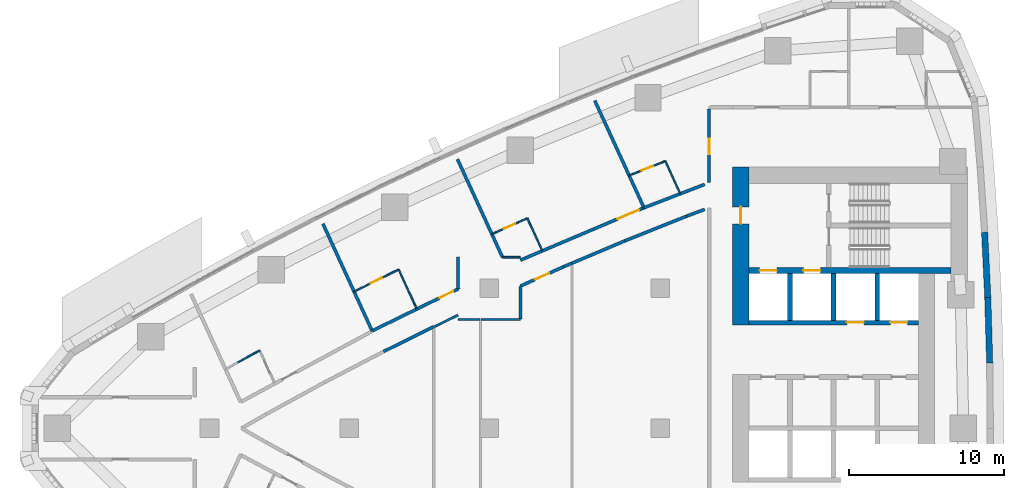
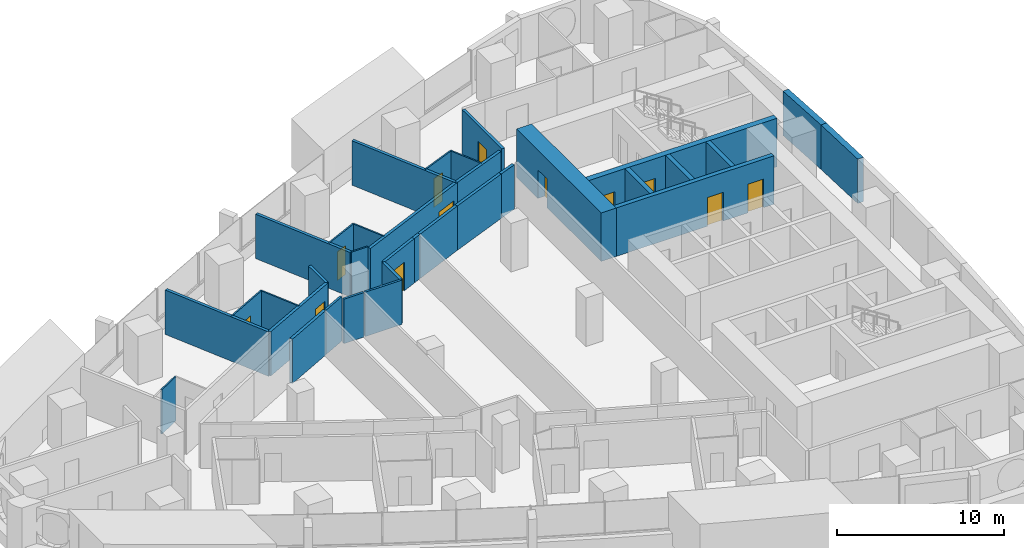
# One storey, part 11 of 17: 34 walls, 12 doors, 12 openings.
"""IFC4 building model written with IfcOpenShell, lengths in metres."""

import ifcopenshell
import ifcopenshell.guid

model = None  # the IFC model being written
_history = None  # IfcOwnerHistory: only IFC2X3 demands one
_inside = {}  # id of a spatial element -> (the spatial element, [elements in it])
_under = {}  # id of a project, library or spatial element -> (it, [spatial elements below it])
_declared = {}  # id of a project -> (the project, [libraries it declares])
_typed = {}  # id of a type object -> (the type object, [elements of that type])
_made_of = {}  # id of a material, layer set ... -> (it, [elements and type objects made of it])


def new_model(schema):
    """Start an empty IFC model of exactly this schema.

    Asked for "IFC4X3", IfcOpenShell would pick the latest addendum, in which some entities
    have other attributes; the version numbers below select the first issue.
    IFC2X3 requires an IfcOwnerHistory on every rooted entity: one is made here for all.
    """
    global model, _history
    if schema == "IFC4X3":
        model = ifcopenshell.file(schema_version=(4, 3, 0, 0))
    else:
        model = ifcopenshell.file(schema=schema)
    _inside.clear()
    _under.clear()
    _declared.clear()
    _typed.clear()
    _made_of.clear()
    _history = None
    if model.schema == "IFC2X3":
        org = make("IfcOrganization", Name="unknown")
        user = make(
            "IfcPersonAndOrganization",
            ThePerson=make("IfcPerson", FamilyName="unknown"),
            TheOrganization=org,
        )
        app = make(
            "IfcApplication",
            ApplicationDeveloper=org,
            Version="unknown",
            ApplicationFullName="unknown",
            ApplicationIdentifier="unknown",
        )
        _history = make(
            "IfcOwnerHistory",
            OwningUser=user,
            OwningApplication=app,
            ChangeAction="ADDED",
            CreationDate=0,
        )
    return model


def make(cls, **values):
    """One entity of the class cls with the attributes given. An attribute that is None is left unset."""
    return model.create_entity(
        cls, **{name: value for name, value in values.items() if value is not None}
    )


def rooted(cls, **values):
    """An entity with a GlobalId (a new one), such as an element, a storey or a relation."""
    return make(cls, GlobalId=ifcopenshell.guid.new(), OwnerHistory=_history, **values)


def si_unit(unit_type, name, prefix=None):
    """IfcSIUnit, for example si_unit("LENGTHUNIT", "METRE", prefix="MILLI")."""
    return make("IfcSIUnit", UnitType=unit_type, Prefix=prefix, Name=name)


def assignment(units):
    """IfcUnitAssignment: the units of a project."""
    return None if units is None else make("IfcUnitAssignment", Units=units)


def point(xyz):
    """IfcCartesianPoint."""
    return None if xyz is None else make("IfcCartesianPoint", Coordinates=xyz)


def direction(xyz):
    """IfcDirection."""
    return None if xyz is None else make("IfcDirection", DirectionRatios=xyz)


def frame(location, z_axis=None, x_axis=None):
    """IfcAxis2Placement3D, a coordinate frame: its origin and axes. An axis left out is left unset."""
    return make(
        "IfcAxis2Placement3D",
        Location=point(location),
        Axis=direction(z_axis),
        RefDirection=direction(x_axis),
    )


def frame_2d(location, x_axis=None):
    """IfcAxis2Placement2D, a coordinate frame in the plane: its origin and x axis."""
    return make(
        "IfcAxis2Placement2D", Location=point(location), RefDirection=direction(x_axis)
    )


def origin():
    """The frame at (0, 0, 0) with its axes left unset."""
    return frame((0.0, 0.0, 0.0))


def place(relative_to, where):
    """IfcLocalPlacement: puts the frame where relative to a parent placement (None: the world)."""
    return make(
        "IfcLocalPlacement", PlacementRelTo=relative_to, RelativePlacement=where
    )


def context(
    kind, dimensions, precision=None, world=None, true_north=None, identifier=None
):
    """IfcGeometricRepresentationContext, for example the 3D "Model" context."""
    return make(
        "IfcGeometricRepresentationContext",
        ContextIdentifier=identifier,
        ContextType=kind,
        CoordinateSpaceDimension=dimensions,
        Precision=precision,
        WorldCoordinateSystem=world,
        TrueNorth=true_north,
    )


def subcontext(parent, identifier, kind, view, scale=None):
    """IfcGeometricRepresentationSubContext, for example "Body" below "Model"."""
    return make(
        "IfcGeometricRepresentationSubContext",
        ContextIdentifier=identifier,
        ContextType=kind,
        ParentContext=parent,
        TargetScale=scale,
        TargetView=view,
    )


def project(units=None, contexts=None):
    """IfcProject with its units and contexts."""
    return rooted(
        "IfcProject",
        Name="project",
        RepresentationContexts=contexts,
        UnitsInContext=assignment(units),
    )


def spatial(cls, under=None, at=None, **own):
    """A site, building, storey or space (cls), placed at a placement, below another one or the project."""
    s = rooted(cls, ObjectPlacement=at, **own)
    if under is not None:
        _under.setdefault(under.id(), (under, []))[1].append(s)
    return s


def polyline(points):
    """IfcPolyline through the points."""
    return make("IfcPolyline", Points=[point(p) for p in points])


def profile(cls, at=None, kind="AREA", **sizes):
    """A parametric profile (cls). Its sizes go by their IFC names, for example OverallWidth=200.0."""
    return make(cls, ProfileType=kind, Position=at, **sizes)


def rectangle(**sizes):
    """IfcRectangleProfileDef."""
    return profile("IfcRectangleProfileDef", **sizes)


def outline(outer, holes=None, kind="AREA"):
    """IfcArbitraryClosedProfileDef: a profile drawn as a closed curve; with holes, ...WithVoids."""
    if holes is None:
        return make("IfcArbitraryClosedProfileDef", ProfileType=kind, OuterCurve=outer)
    return make(
        "IfcArbitraryProfileDefWithVoids",
        ProfileType=kind,
        OuterCurve=outer,
        InnerCurves=holes,
    )


def extrude(swept, where, along, depth):
    """IfcExtrudedAreaSolid: the profile swept, set in the frame where, extruded along a direction by depth."""
    return make(
        "IfcExtrudedAreaSolid",
        SweptArea=swept,
        Position=where,
        ExtrudedDirection=direction(along),
        Depth=depth,
    )


def shape(context_of_items, identifier, shape_type, items):
    """IfcShapeRepresentation: the items that make up one representation, for example the "Body"."""
    return make(
        "IfcShapeRepresentation",
        ContextOfItems=context_of_items,
        RepresentationIdentifier=identifier,
        RepresentationType=shape_type,
        Items=items,
    )


def material(Name=None, Category=None):
    """IfcMaterial."""
    return make("IfcMaterial", Name=Name, Category=Category)


def layer(
    of_material, thickness, ventilated=None, Name=None, Category=None, Priority=None
):
    """IfcMaterialLayer: one layer of a wall or slab, of a material (None: an air gap)."""
    return make(
        "IfcMaterialLayer",
        Material=of_material,
        LayerThickness=thickness,
        IsVentilated=ventilated,
        Name=Name,
        Category=Category,
        Priority=Priority,
    )


def layer_set(layers, Name=None):
    """IfcMaterialLayerSet."""
    return make("IfcMaterialLayerSet", MaterialLayers=layers, LayerSetName=Name)


def made_of(thing, what):
    """Note that an element or type object is made of a material, layer set ...; save() writes the relation."""
    if what is not None:
        _made_of.setdefault(what.id(), (what, []))[1].append(thing)
    return thing


def type_object(cls, material=None, **own):
    """A type object (cls), such as IfcWallType, which elements share."""
    return made_of(rooted(cls, **own), material)


def element(
    cls,
    number,
    at=None,
    inside=None,
    cuts=None,
    type_object=None,
    material=None,
    context=None,
    identifier="Body",
    shape_type=None,
    held_by="IfcProductDefinitionShape",
    body=None,
    shapes=None,
    **own,
):
    """One element of the class cls, such as IfcWall. Its Tag is "e" and its number.

    at: its placement. inside: the storey or other place that contains it. cuts: it is an
    opening in that element (IfcRelVoidsElement). A single representation is given by context,
    identifier, shape_type and body (its items); several are given by shapes. held_by: the class
    of the entity that holds the representations. save() writes the other relations.
    """
    e = rooted(cls, Tag="e%d" % number, ObjectPlacement=at, **own)
    if body is not None:
        shapes = [shape(context, identifier, shape_type, body)]
    if shapes is not None:
        e.Representation = make(held_by, Representations=shapes)
    if inside is not None:
        _inside.setdefault(inside.id(), (inside, []))[1].append(e)
    if cuts is not None:
        rooted(
            "IfcRelVoidsElement", RelatingBuildingElement=cuts, RelatedOpeningElement=e
        )
    if type_object is not None:
        _typed.setdefault(type_object.id(), (type_object, []))[1].append(e)
    return made_of(e, material)


def fill(opening, filler):
    """IfcRelFillsElement: the door or window that sits in an opening."""
    return rooted(
        "IfcRelFillsElement",
        RelatingOpeningElement=opening,
        RelatedBuildingElement=filler,
    )


def aggregate(whole, parts):
    """IfcRelAggregates: a whole, such as a stair, and the parts it consists of."""
    return rooted("IfcRelAggregates", RelatingObject=whole, RelatedObjects=parts)


def save(model, path):
    """Write the relations noted so far, then the file.

    IfcRelAggregates (storeys below a building ...), IfcRelContainedInSpatialStructure (elements
    in a storey), IfcRelDefinesByType, IfcRelAssociatesMaterial and IfcRelDeclares: one each for
    every whole, place, type object, material and project.
    """
    for whole, parts in _under.values():
        aggregate(whole, parts)
    for where, things in _inside.values():
        rooted(
            "IfcRelContainedInSpatialStructure",
            RelatedElements=things,
            RelatingStructure=where,
        )
    for kind, things in _typed.values():
        rooted("IfcRelDefinesByType", RelatedObjects=things, RelatingType=kind)
    for what, things in _made_of.values():
        rooted("IfcRelAssociatesMaterial", RelatedObjects=things, RelatingMaterial=what)
    for by, libraries in _declared.values():
        rooted("IfcRelDeclares", RelatingContext=by, RelatedDefinitions=libraries)
    model.write(path)


model = new_model("IFC4")

# Units and contexts
model_context = context("Model", 3, precision=1e-05, world=origin(), true_north=direction((0.0, 1.0)))
body_context = subcontext(model_context, "Body", "Model", "MODEL_VIEW")
ifc_project = project(units=[si_unit("LENGTHUNIT", "METRE"), si_unit("AREAUNIT", "SQUARE_METRE"), si_unit("VOLUMEUNIT", "CUBIC_METRE"), si_unit("PLANEANGLEUNIT", "RADIAN"), si_unit("MASSUNIT", "GRAM", prefix="KILO")], contexts=[model_context])

# Site, building, storey
site_placement = place(None, origin())
site = spatial("IfcSite", under=ifc_project, at=site_placement, CompositionType="ELEMENT")
building_placement = place(site_placement, origin())
building = spatial("IfcBuilding", under=site, at=building_placement, Name="Ostrand Prow Hotel Tower", CompositionType="ELEMENT")
storey_placement = place(building_placement, frame((0.0, 0.0, 92.0)))
storey = spatial("IfcBuildingStorey", under=building, at=storey_placement, Name="L21", CompositionType="ELEMENT", Elevation=92.0)

# Wall, opening, door
ifc_material_1 = material(Name="Concrete C80/95", Category="concrete")
ifc_layer_1 = layer(ifc_material_1, 1.050048828125)
ifc_layer_set_1 = layer_set([ifc_layer_1], Name="Concrete C80/95")
wall_type_1 = type_object("IfcWallType", Name="Core wall 1050 C80/95", PredefinedType="SHEAR", material=ifc_layer_set_1)
wall_1_placement = place(storey_placement, frame((50.175048828125, 6.64990234375, 0.0), z_axis=(0.0, 0.0, 1.0), x_axis=(0.0, 1.0, 0.0)))
wall_1 = element("IfcWall", 1, at=wall_1_placement, inside=storey, type_object=wall_type_1, Name="Core wall CW-W-N", PredefinedType="SHEAR", context=body_context, shape_type="SweptSolid", body=[
    extrude(rectangle(XDim=10.150146484375, YDim=1.050048828125, at=frame_2d((5.0751953125, 0.0))), origin(), (0.0, 0.0, 1.0), 3.550048828125),
])
opening_1_placement = place(wall_1_placement, frame((6.5, 0.0, 0.0)))
opening_1 = element("IfcOpeningElement", 2, at=opening_1_placement, cuts=wall_1, Name="Opening FD1", PredefinedType="OPENING", context=body_context, shape_type="SweptSolid", body=[
    extrude(rectangle(XDim=1.10009765625, YDim=2.10009765625, at=frame_2d((0.550048828125, 1.050048828125))), frame((0.0, 0.534912109375, 0.0), z_axis=(0.0, -1.0, 0.0), x_axis=(1.0, 0.0, 0.0)), (0.0, 0.0, 1.0), 1.070068359375),
])
ifc_material_2 = material(Name="Steel fire door", Category="steel")
door_type_1 = type_object("IfcDoorType", Name="Fire door 1100 EI120", OperationType="SINGLE_SWING_RIGHT", PredefinedType="DOOR", material=ifc_material_2)
door_1_placement = place(opening_1_placement, origin())
door_1 = element("IfcDoor", 3, at=door_1_placement, inside=storey, type_object=door_type_1, Name="FIRE DOOR", OperationType="SINGLE_SWING_RIGHT", OverallHeight=2.10009765625, OverallWidth=1.10009765625, PredefinedType="DOOR", context=body_context, shape_type="SweptSolid", body=[
    extrude(rectangle(XDim=1.10009765625, YDim=2.10009765625, at=frame_2d((0.550048828125, 1.050048828125))), frame((0.0, 0.02490234375, 0.0), z_axis=(0.0, -1.0, 0.0), x_axis=(1.0, 0.0, 0.0)), (0.0, 0.0, 1.0), 0.050048828125),
])
fill(opening_1, door_1)

# Wall, openings, doors
ifc_material_3 = material(Name="Concrete C80/95", Category="concrete")
ifc_layer_2 = layer(ifc_material_3, 0.300048828125)
ifc_layer_set_2 = layer_set([ifc_layer_2], Name="Concrete C80/95")
wall_type_2 = type_object("IfcWallType", Name="Core wall 300 C80/95", PredefinedType="SHEAR", material=ifc_layer_set_2)
wall_2_placement = place(storey_placement, frame((50.699951171875, 6.800048828125, 0.0), z_axis=(0.0, 0.0, 1.0), x_axis=(1.0, 0.0, 0.0)))
wall_2 = element("IfcWall", 4, at=wall_2_placement, inside=storey, type_object=wall_type_2, Name="Core wall PW-L2-N", PredefinedType="SHEAR", context=body_context, shape_type="SweptSolid", body=[
    extrude(rectangle(XDim=10.900146484375, YDim=0.300048828125, at=frame_2d((5.4501953125, 0.0))), origin(), (0.0, 0.0, 1.0), 3.550048828125),
])
opening_2_placement = place(wall_2_placement, frame((6.300048828125, 0.0, 0.0)))
opening_2 = element("IfcOpeningElement", 5, at=opening_2_placement, cuts=wall_2, Name="Opening LD", PredefinedType="OPENING", context=body_context, shape_type="SweptSolid", body=[
    extrude(rectangle(XDim=1.10009765625, YDim=2.10009765625, at=frame_2d((0.550048828125, 1.050048828125))), frame((0.0, 0.159912109375, 0.0), z_axis=(0.0, -1.0, 0.0), x_axis=(1.0, 0.0, 0.0)), (0.0, 0.0, 1.0), 0.320068359375),
])
opening_3_placement = place(wall_2_placement, frame((9.10009765625, 0.0, 0.0)))
opening_3 = element("IfcOpeningElement", 6, at=opening_3_placement, cuts=wall_2, Name="Opening LD", PredefinedType="OPENING", context=body_context, shape_type="SweptSolid", body=[
    extrude(rectangle(XDim=1.10009765625, YDim=2.10009765625, at=frame_2d((0.550048828125, 1.050048828125))), frame((0.0, 0.159912109375, 0.0), z_axis=(0.0, -1.0, 0.0), x_axis=(1.0, 0.0, 0.0)), (0.0, 0.0, 1.0), 0.320068359375),
])
ifc_material_4 = material(Name="Stainless steel door", Category="steel")
door_type_2 = type_object("IfcDoorType", Name="Lift landing door 1100", OperationType="DOUBLE_DOOR_SLIDING", PredefinedType="DOOR", material=ifc_material_4)
door_2_placement = place(opening_2_placement, origin())
door_2 = element("IfcDoor", 7, at=door_2_placement, inside=storey, type_object=door_type_2, Name="LIFT LANDING DOOR", OperationType="DOUBLE_DOOR_SLIDING", OverallHeight=2.10009765625, OverallWidth=1.10009765625, PredefinedType="DOOR", context=body_context, shape_type="SweptSolid", body=[
    extrude(rectangle(XDim=1.10009765625, YDim=2.10009765625, at=frame_2d((0.550048828125, 1.050048828125))), frame((0.0, 0.02490234375, 0.0), z_axis=(0.0, -1.0, 0.0), x_axis=(1.0, 0.0, 0.0)), (0.0, 0.0, 1.0), 0.050048828125),
])
fill(opening_2, door_2)
door_3_placement = place(opening_3_placement, origin())
door_3 = element("IfcDoor", 8, at=door_3_placement, inside=storey, type_object=door_type_2, Name="LIFT LANDING DOOR", OperationType="DOUBLE_DOOR_SLIDING", OverallHeight=2.10009765625, OverallWidth=1.10009765625, PredefinedType="DOOR", context=body_context, shape_type="SweptSolid", body=[
    extrude(rectangle(XDim=1.10009765625, YDim=2.10009765625, at=frame_2d((0.550048828125, 1.050048828125))), frame((0.0, 0.02490234375, 0.0), z_axis=(0.0, -1.0, 0.0), x_axis=(1.0, 0.0, 0.0)), (0.0, 0.0, 1.0), 0.050048828125),
])
fill(opening_3, door_3)

# Walls
for number, where, z_axis, x_axis, name in (
    (9, (53.35009765625, 6.949951171875, 0.0), (0.0, 0.0, 1.0), (0.0, 1.0, 0.0), "Core wall PW-R1-NA"),
    (10, (56.14990234375, 6.949951171875, 0.0), (0.0, 0.0, 1.0), (0.0, 1.0, 0.0), "Core wall PW-R2-NA"),
    (11, (58.949951171875, 6.949951171875, 0.0), (0.0, 0.0, 1.0), (0.0, 1.0, 0.0), "Core wall PW-R3-NA"),
):
    element("IfcWall", number, at=place(storey_placement, frame(where, z_axis=z_axis, x_axis=x_axis)), inside=storey, type_object=wall_type_2, Name=name, PredefinedType="SHEAR", context=body_context, shape_type="SweptSolid", body=[
        extrude(rectangle(XDim=3.0, YDim=0.300048828125, at=frame_2d((1.5, 0.0))), origin(), (0.0, 0.0, 1.0), 3.550048828125),
    ])

# Wall, openings, doors
ifc_material_5 = material(Name="Concrete C80/95", Category="concrete")
ifc_layer_3 = layer(ifc_material_5, 0.39990234375)
ifc_layer_set_3 = layer_set([ifc_layer_3], Name="Concrete C80/95")
wall_type_3 = type_object("IfcWallType", Name="Core wall 400 C80/95", PredefinedType="SHEAR", material=ifc_layer_set_3)
wall_3_placement = place(storey_placement, frame((50.699951171875, 10.14990234375, 0.0), z_axis=(0.0, 0.0, 1.0), x_axis=(1.0, 0.0, 0.0)))
wall_3 = element("IfcWall", 12, at=wall_3_placement, inside=storey, type_object=wall_type_3, Name="Core wall PW-BN", PredefinedType="SHEAR", context=body_context, shape_type="SweptSolid", body=[
    extrude(rectangle(XDim=13.02001953125, YDim=0.39990234375, at=frame_2d((6.510009765625, 0.0))), origin(), (0.0, 0.0, 1.0), 3.550048828125),
])
opening_4_placement = place(wall_3_placement, frame((0.699951171875, 0.0, 0.0)))
opening_4 = element("IfcOpeningElement", 13, at=opening_4_placement, cuts=wall_3, Name="Opening LD", PredefinedType="OPENING", context=body_context, shape_type="SweptSolid", body=[
    extrude(rectangle(XDim=1.10009765625, YDim=2.10009765625, at=frame_2d((0.550048828125, 1.050048828125))), frame((0.0, 0.2099609375, 0.0), z_axis=(0.0, -1.0, 0.0), x_axis=(1.0, 0.0, 0.0)), (0.0, 0.0, 1.0), 0.419921875),
])
opening_5_placement = place(wall_3_placement, frame((3.5, 0.0, 0.0)))
opening_5 = element("IfcOpeningElement", 14, at=opening_5_placement, cuts=wall_3, Name="Opening LD", PredefinedType="OPENING", context=body_context, shape_type="SweptSolid", body=[
    extrude(rectangle(XDim=1.10009765625, YDim=2.10009765625, at=frame_2d((0.550048828125, 1.050048828125))), frame((0.0, 0.2099609375, 0.0), z_axis=(0.0, -1.0, 0.0), x_axis=(1.0, 0.0, 0.0)), (0.0, 0.0, 1.0), 0.419921875),
])
door_4_placement = place(opening_4_placement, origin())
door_4 = element("IfcDoor", 15, at=door_4_placement, inside=storey, type_object=door_type_2, Name="LIFT LANDING DOOR", OperationType="DOUBLE_DOOR_SLIDING", OverallHeight=2.10009765625, OverallWidth=1.10009765625, PredefinedType="DOOR", context=body_context, shape_type="SweptSolid", body=[
    extrude(rectangle(XDim=1.10009765625, YDim=2.10009765625, at=frame_2d((0.550048828125, 1.050048828125))), frame((0.0, 0.02490234375, 0.0), z_axis=(0.0, -1.0, 0.0), x_axis=(1.0, 0.0, 0.0)), (0.0, 0.0, 1.0), 0.050048828125),
])
fill(opening_4, door_4)
door_5_placement = place(opening_5_placement, origin())
door_5 = element("IfcDoor", 16, at=door_5_placement, inside=storey, type_object=door_type_2, Name="LIFT LANDING DOOR", OperationType="DOUBLE_DOOR_SLIDING", OverallHeight=2.10009765625, OverallWidth=1.10009765625, PredefinedType="DOOR", context=body_context, shape_type="SweptSolid", body=[
    extrude(rectangle(XDim=1.10009765625, YDim=2.10009765625, at=frame_2d((0.550048828125, 1.050048828125))), frame((0.0, 0.02490234375, 0.0), z_axis=(0.0, -1.0, 0.0), x_axis=(1.0, 0.0, 0.0)), (0.0, 0.0, 1.0), 0.050048828125),
])
fill(opening_5, door_5)

# Wall
ifc_material_6 = material(Name="Plasterboard partition")
ifc_layer_4 = layer(ifc_material_6, 0.10009765625)
ifc_layer_set_4 = layer_set([ifc_layer_4], Name="Plasterboard partition")
wall_type_4 = type_object("IfcWallType", Name="Partition 100 bathroom wall", PredefinedType="PARTITIONING", material=ifc_layer_set_4)
wall_4_placement = place(storey_placement, frame((17.80126953125, 4.228515625, 0.0), z_axis=(0.0, 0.0, 1.0), x_axis=(0.877424481957, 0.479714788663, 0.0)))
element("IfcWall", 17, at=wall_4_placement, inside=storey, type_object=wall_type_4, Name="BATHROOM WALL", PredefinedType="PARTITIONING", context=body_context, shape_type="SweptSolid", body=[
    extrude(rectangle(XDim=1.62548828125, YDim=0.10009765625, at=frame_2d((0.812744140625, 0.0))), origin(), (0.0, 0.0, 1.0), 3.25),
])

# Wall, opening, door
wall_5_placement = place(storey_placement, frame((25.301025390625, 8.795654296875, 0.0), z_axis=(0.0, 0.0, 1.0), x_axis=(0.895992652807, 0.444068875419, 0.0)))
wall_5 = element("IfcWall", 18, at=wall_5_placement, inside=storey, type_object=wall_type_4, Name="BATHROOM WALL", PredefinedType="PARTITIONING", context=body_context, shape_type="SweptSolid", body=[
    extrude(rectangle(XDim=3.201416015625, YDim=0.10009765625, at=frame_2d((1.6005859375, 0.0))), origin(), (0.0, 0.0, 1.0), 3.25),
])
opening_6_placement = place(wall_5_placement, frame((1.199951171875, 0.0, 0.0)))
opening_6 = element("IfcOpeningElement", 19, at=opening_6_placement, cuts=wall_5, Name="Opening D2", PredefinedType="OPENING", context=body_context, shape_type="SweptSolid", body=[
    extrude(rectangle(XDim=0.800048828125, YDim=2.10009765625, at=frame_2d((0.39990234375, 1.050048828125))), frame((0.0, 0.06005859375, 0.0), z_axis=(0.0, -1.0, 0.0), x_axis=(1.0, 0.0, 0.0)), (0.0, 0.0, 1.0), 0.1201171875),
])
ifc_material_7 = material(Name="Timber door leaf", Category="wood")
door_type_3 = type_object("IfcDoorType", Name="Bathroom door 800", OperationType="SINGLE_SWING_LEFT", PredefinedType="DOOR", material=ifc_material_7)
door_6_placement = place(opening_6_placement, origin())
door_6 = element("IfcDoor", 20, at=door_6_placement, inside=storey, type_object=door_type_3, Name="DOOR", OperationType="SINGLE_SWING_LEFT", OverallHeight=2.10009765625, OverallWidth=0.800048828125, PredefinedType="DOOR", context=body_context, shape_type="SweptSolid", body=[
    extrude(rectangle(XDim=0.800048828125, YDim=2.10009765625, at=frame_2d((0.39990234375, 1.050048828125))), frame((0.0, 0.02490234375, 0.0), z_axis=(0.0, -1.0, 0.0), x_axis=(1.0, 0.0, 0.0)), (0.0, 0.0, 1.0), 0.050048828125),
])
fill(opening_6, door_6)

# Wall
wall_6_placement = place(storey_placement, frame((28.16943359375, 10.21728515625, 0.0), z_axis=(0.0, 0.0, 1.0), x_axis=(0.417441335061, -0.908703874638, 0.0)))
element("IfcWall", 21, at=wall_6_placement, inside=storey, type_object=wall_type_4, Name="BATHROOM WALL", PredefinedType="PARTITIONING", context=body_context, shape_type="SweptSolid", body=[
    extrude(rectangle(XDim=2.778076171875, YDim=0.10009765625, at=frame_2d((1.38916015625, 0.0))), origin(), (0.0, 0.0, 1.0), 3.25),
])

# Wall, opening, door
wall_7_placement = place(storey_placement, frame((34.167236328125, 12.492919921875, 0.0), z_axis=(0.0, 0.0, 1.0), x_axis=(0.913016449487, 0.407922741417, 0.0)))
wall_7 = element("IfcWall", 22, at=wall_7_placement, inside=storey, type_object=wall_type_4, Name="BATHROOM WALL", PredefinedType="PARTITIONING", context=body_context, shape_type="SweptSolid", body=[
    extrude(rectangle(XDim=2.5, YDim=0.10009765625, at=frame_2d((1.25, 0.0))), origin(), (0.0, 0.0, 1.0), 3.25),
])
opening_7_placement = place(wall_7_placement, frame((0.85009765625, 0.0, 0.0)))
opening_7 = element("IfcOpeningElement", 23, at=opening_7_placement, cuts=wall_7, Name="Opening D2", PredefinedType="OPENING", context=body_context, shape_type="SweptSolid", body=[
    extrude(rectangle(XDim=0.800048828125, YDim=2.10009765625, at=frame_2d((0.39990234375, 1.050048828125))), frame((0.0, 0.06005859375, 0.0), z_axis=(0.0, -1.0, 0.0), x_axis=(1.0, 0.0, 0.0)), (0.0, 0.0, 1.0), 0.1201171875),
])
door_7_placement = place(opening_7_placement, origin())
door_7 = element("IfcDoor", 24, at=door_7_placement, inside=storey, type_object=door_type_3, Name="DOOR", OperationType="SINGLE_SWING_LEFT", OverallHeight=2.10009765625, OverallWidth=0.800048828125, PredefinedType="DOOR", context=body_context, shape_type="SweptSolid", body=[
    extrude(rectangle(XDim=0.800048828125, YDim=2.10009765625, at=frame_2d((0.39990234375, 1.050048828125))), frame((0.0, 0.02490234375, 0.0), z_axis=(0.0, -1.0, 0.0), x_axis=(1.0, 0.0, 0.0)), (0.0, 0.0, 1.0), 0.050048828125),
])
fill(opening_7, door_7)

# Wall
wall_8_placement = place(storey_placement, frame((36.44970703125, 13.5126953125, 0.0), z_axis=(0.0, 0.0, 1.0), x_axis=(0.417466676952, -0.908692232626, 0.0)))
element("IfcWall", 25, at=wall_8_placement, inside=storey, type_object=wall_type_4, Name="BATHROOM WALL", PredefinedType="PARTITIONING", context=body_context, shape_type="SweptSolid", body=[
    extrude(rectangle(XDim=2.27734375, YDim=0.10009765625, at=frame_2d((1.138671875, 0.0))), origin(), (0.0, 0.0, 1.0), 3.25),
])

# Wall, opening, door
wall_9_placement = place(storey_placement, frame((43.0, 16.26220703125, 0.0), z_axis=(0.0, 0.0, 1.0), x_axis=(0.928618072339, 0.371037027431, 0.0)))
wall_9 = element("IfcWall", 26, at=wall_9_placement, inside=storey, type_object=wall_type_4, Name="BATHROOM WALL", PredefinedType="PARTITIONING", context=body_context, shape_type="SweptSolid", body=[
    extrude(rectangle(XDim=2.499755859375, YDim=0.10009765625, at=frame_2d((1.25, 0.0))), origin(), (0.0, 0.0, 1.0), 3.25),
])
opening_8_placement = place(wall_9_placement, frame((0.85009765625, 0.0, 0.0)))
opening_8 = element("IfcOpeningElement", 27, at=opening_8_placement, cuts=wall_9, Name="Opening D2", PredefinedType="OPENING", context=body_context, shape_type="SweptSolid", body=[
    extrude(rectangle(XDim=0.800048828125, YDim=2.10009765625, at=frame_2d((0.39990234375, 1.050048828125))), frame((0.0, 0.06005859375, 0.0), z_axis=(0.0, -1.0, 0.0), x_axis=(1.0, 0.0, 0.0)), (0.0, 0.0, 1.0), 0.1201171875),
])
door_8_placement = place(opening_8_placement, origin())
door_8 = element("IfcDoor", 28, at=door_8_placement, inside=storey, type_object=door_type_3, Name="DOOR", OperationType="SINGLE_SWING_LEFT", OverallHeight=2.10009765625, OverallWidth=0.800048828125, PredefinedType="DOOR", context=body_context, shape_type="SweptSolid", body=[
    extrude(rectangle(XDim=0.800048828125, YDim=2.10009765625, at=frame_2d((0.39990234375, 1.050048828125))), frame((0.0, 0.02490234375, 0.0), z_axis=(0.0, -1.0, 0.0), x_axis=(1.0, 0.0, 0.0)), (0.0, 0.0, 1.0), 0.050048828125),
])
fill(opening_8, door_8)

# Walls
wall_10_placement = place(storey_placement, frame((45.32470703125, 17.19091796875, 0.0), z_axis=(0.0, 0.0, 1.0), x_axis=(0.417409478396, -0.90871850831, 0.0)))
element("IfcWall", 29, at=wall_10_placement, inside=storey, type_object=wall_type_4, Name="BATHROOM WALL", PredefinedType="PARTITIONING", context=body_context, shape_type="SweptSolid", body=[
    extrude(rectangle(XDim=2.282958984375, YDim=0.10009765625, at=frame_2d((1.1416015625, 0.0))), origin(), (0.0, 0.0, 1.0), 3.25),
])
wall_11_placement = place(storey_placement, frame((36.0009765625, 11.0048828125, 0.0), z_axis=(0.0, 0.0, 1.0), x_axis=(-1.0, 0.0, 0.0)))
element("IfcWall", 30, at=wall_11_placement, inside=storey, type_object=wall_type_4, Name="BATHROOM WALL", PredefinedType="PARTITIONING", context=body_context, shape_type="SweptSolid", body=[
    extrude(rectangle(XDim=1.150390625, YDim=0.10009765625, at=frame_2d((0.5751953125, 0.0))), origin(), (0.0, 0.0, 1.0), 3.25),
])
ifc_material_8 = material(Name="Plasterboard partition")
ifc_layer_5 = layer(ifc_material_8, 0.14990234375)
ifc_layer_set_5 = layer_set([ifc_layer_5], Name="Plasterboard partition")
wall_type_5 = type_object("IfcWallType", Name="Partition 150 room partition", PredefinedType="PARTITIONING", material=ifc_layer_set_5)
wall_12_placement = place(storey_placement, frame((30.4697265625, 6.536376953125, 0.0), z_axis=(0.0, 0.0, 1.0), x_axis=(0.897735805555, 0.440534247732, 0.0)))
element("IfcWall", 31, at=wall_12_placement, inside=storey, type_object=wall_type_5, Name="ROOM PARTITION", PredefinedType="PARTITIONING", context=body_context, shape_type="SweptSolid", body=[
    extrude(rectangle(XDim=1.69921875, YDim=0.14990234375, at=frame_2d((0.849609375, 0.0))), origin(), (0.0, 0.0, 1.0), 3.25),
])
wall_13_placement = place(storey_placement, frame((31.9990234375, 6.9951171875, 0.0), z_axis=(0.0, 0.0, 1.0), x_axis=(1.0, 0.0, 0.0)))
element("IfcWall", 32, at=wall_13_placement, inside=storey, type_object=wall_type_5, Name="ROOM PARTITION", PredefinedType="PARTITIONING", context=body_context, shape_type="SweptSolid", body=[
    extrude(rectangle(XDim=1.390625, YDim=0.14990234375, at=frame_2d((0.6953125, 0.0))), origin(), (0.0, 0.0, 1.0), 3.25),
])
wall_14_placement = place(storey_placement, frame((33.4697265625, 6.9951171875, 0.0), z_axis=(0.0, 0.0, 1.0), x_axis=(0.999999958194, 0.000289156614, 0.0)))
element("IfcWall", 33, at=wall_14_placement, inside=storey, type_object=wall_type_5, Name="ROOM PARTITION", PredefinedType="PARTITIONING", context=body_context, shape_type="SweptSolid", body=[
    extrude(rectangle(XDim=2.532958984375, YDim=0.14990234375, at=frame_2d((1.2666015625, 0.0))), origin(), (0.0, 0.0, 1.0), 3.25),
])

# Wall, opening, door
ifc_material_9 = material(Name="Plasterboard partition")
ifc_layer_6 = layer(ifc_material_9, 0.199951171875)
ifc_layer_set_6 = layer_set([ifc_layer_6], Name="Plasterboard partition")
wall_type_6 = type_object("IfcWallType", Name="Partition 200 corridor wall", PredefinedType="PARTITIONING", material=ifc_layer_set_6)
wall_15_placement = place(storey_placement, frame((32.0, 8.972900390625, 0.0), z_axis=(0.0, 0.0, 1.0), x_axis=(-0.898493398172, -0.438987031062, 0.0)))
wall_15 = element("IfcWall", 34, at=wall_15_placement, inside=storey, type_object=wall_type_6, Name="CORRIDOR WALL", PredefinedType="PARTITIONING", context=body_context, shape_type="SweptSolid", body=[
    extrude(rectangle(XDim=6.1630859375, YDim=0.199951171875, at=frame_2d((3.08154296875, 0.0))), origin(), (0.0, 0.0, 1.0), 3.25),
])
opening_9_placement = place(wall_15_placement, frame((0.35009765625, 0.0, 0.0)))
opening_9 = element("IfcOpeningElement", 35, at=opening_9_placement, cuts=wall_15, Name="Opening D1R", PredefinedType="OPENING", context=body_context, shape_type="SweptSolid", body=[
    extrude(rectangle(XDim=1.0, YDim=2.10009765625, at=frame_2d((0.5, 1.050048828125))), frame((0.0, 0.10986328125, 0.0), z_axis=(0.0, -1.0, 0.0), x_axis=(1.0, 0.0, 0.0)), (0.0, 0.0, 1.0), 0.219970703125),
])
ifc_material_10 = material(Name="Timber door leaf", Category="wood")
door_type_4 = type_object("IfcDoorType", Name="Guest room door 1000 right", OperationType="SINGLE_SWING_RIGHT", PredefinedType="DOOR", material=ifc_material_10)
door_9_placement = place(opening_9_placement, origin())
door_9 = element("IfcDoor", 36, at=door_9_placement, inside=storey, type_object=door_type_4, Name="DOOR", OperationType="SINGLE_SWING_RIGHT", OverallHeight=2.10009765625, OverallWidth=1.0, PredefinedType="DOOR", context=body_context, shape_type="SweptSolid", body=[
    extrude(rectangle(XDim=1.0, YDim=2.10009765625, at=frame_2d((0.5, 1.050048828125))), frame((0.0, 0.02490234375, 0.0), z_axis=(0.0, -1.0, 0.0), x_axis=(1.0, 0.0, 0.0)), (0.0, 0.0, 1.0), 0.050048828125),
])
fill(opening_9, door_9)

wall_16_placement = place(storey_placement, frame((43.952880859375, 14.187744140625, 0.0), z_axis=(0.0, 0.0, 1.0), x_axis=(-0.920619342359, -0.390461299586, 0.0)))
wall_16 = element("IfcWall", 37, at=wall_16_placement, inside=storey, type_object=wall_type_6, Name="CORRIDOR WALL", PredefinedType="PARTITIONING", context=body_context, shape_type="SweptSolid", body=[
    extrude(rectangle(XDim=8.638671875, YDim=0.199951171875, at=frame_2d((4.3193359375, 0.0))), origin(), (0.0, 0.0, 1.0), 3.25),
])
opening_10_placement = place(wall_16_placement, frame((0.35009765625, 0.0, 0.0)))
opening_10 = element("IfcOpeningElement", 38, at=opening_10_placement, cuts=wall_16, Name="Opening D15", PredefinedType="OPENING", context=body_context, shape_type="SweptSolid", body=[
    extrude(rectangle(XDim=1.5, YDim=2.10009765625, at=frame_2d((0.75, 1.050048828125))), frame((0.0, 0.10986328125, 0.0), z_axis=(0.0, -1.0, 0.0), x_axis=(1.0, 0.0, 0.0)), (0.0, 0.0, 1.0), 0.219970703125),
])
ifc_material_11 = material(Name="Timber door leaf", Category="wood")
door_type_5 = type_object("IfcDoorType", Name="Double door 1500", OperationType="DOUBLE_DOOR_SINGLE_SWING", PredefinedType="DOOR", material=ifc_material_11)
door_10_placement = place(opening_10_placement, origin())
door_10 = element("IfcDoor", 39, at=door_10_placement, inside=storey, type_object=door_type_5, Name="DOOR", OperationType="DOUBLE_DOOR_SINGLE_SWING", OverallHeight=2.10009765625, OverallWidth=1.5, PredefinedType="DOOR", context=body_context, shape_type="SweptSolid", body=[
    extrude(rectangle(XDim=1.5, YDim=2.10009765625, at=frame_2d((0.75, 1.050048828125))), frame((0.0, 0.02490234375, 0.0), z_axis=(0.0, -1.0, 0.0), x_axis=(1.0, 0.0, 0.0)), (0.0, 0.0, 1.0), 0.050048828125),
])
fill(opening_10, door_10)

# Wall
wall_17_placement = place(storey_placement, frame((27.1962890625, 4.935791015625, 0.0), z_axis=(0.0, 0.0, 1.0), x_axis=(0.895964304417, 0.44412606905, 0.0)))
element("IfcWall", 40, at=wall_17_placement, inside=storey, type_object=wall_type_6, Name="CORRIDOR WALL", PredefinedType="PARTITIONING", context=body_context, shape_type="SweptSolid", body=[
    extrude(rectangle(XDim=3.60888671875, YDim=0.199951171875, at=frame_2d((1.804443359375, 0.0))), origin(), (0.0, 0.0, 1.0), 3.25),
])

# Wall, opening, door
wall_18_placement = place(storey_placement, frame((36.0, 9.14990234375, 0.0), z_axis=(0.0, 0.0, 1.0), x_axis=(0.913029587861, 0.407893333716, 0.0)))
wall_18 = element("IfcWall", 41, at=wall_18_placement, inside=storey, type_object=wall_type_6, Name="CORRIDOR WALL", PredefinedType="PARTITIONING", context=body_context, shape_type="SweptSolid", body=[
    extrude(rectangle(XDim=3.057861328125, YDim=0.199951171875, at=frame_2d((1.52880859375, 0.0))), origin(), (0.0, 0.0, 1.0), 3.25),
])
opening_11_placement = place(wall_18_placement, frame((1.029052734375, 0.0, 0.0)))
opening_11 = element("IfcOpeningElement", 42, at=opening_11_placement, cuts=wall_18, Name="Opening D1", PredefinedType="OPENING", context=body_context, shape_type="SweptSolid", body=[
    extrude(rectangle(XDim=1.0, YDim=2.10009765625, at=frame_2d((0.5, 1.050048828125))), frame((0.0, 0.10986328125, 0.0), z_axis=(0.0, -1.0, 0.0), x_axis=(1.0, 0.0, 0.0)), (0.0, 0.0, 1.0), 0.219970703125),
])
ifc_material_12 = material(Name="Timber door leaf", Category="wood")
door_type_6 = type_object("IfcDoorType", Name="Guest room door 1000", OperationType="SINGLE_SWING_LEFT", PredefinedType="DOOR", material=ifc_material_12)
door_11_placement = place(opening_11_placement, origin())
door_11 = element("IfcDoor", 43, at=door_11_placement, inside=storey, type_object=door_type_6, Name="DOOR", OperationType="SINGLE_SWING_LEFT", OverallHeight=2.10009765625, OverallWidth=1.0, PredefinedType="DOOR", context=body_context, shape_type="SweptSolid", body=[
    extrude(rectangle(XDim=1.0, YDim=2.10009765625, at=frame_2d((0.5, 1.050048828125))), frame((0.0, 0.02490234375, 0.0), z_axis=(0.0, -1.0, 0.0), x_axis=(1.0, 0.0, 0.0)), (0.0, 0.0, 1.0), 0.050048828125),
])
fill(opening_11, door_11)

# Walls
wall_19_placement = place(storey_placement, frame((42.727783203125, 12.0615234375, 0.0), z_axis=(0.0, 0.0, 1.0), x_axis=(0.928638161177, 0.370986745864, 0.0)))
element("IfcWall", 44, at=wall_19_placement, inside=storey, type_object=wall_type_6, Name="CORRIDOR WALL", PredefinedType="PARTITIONING", context=body_context, shape_type="SweptSolid", body=[
    extrude(rectangle(XDim=4.27294921875, YDim=0.199951171875, at=frame_2d((2.136474609375, 0.0))), origin(), (0.0, 0.0, 1.0), 3.25),
])
wall_20_placement = place(storey_placement, frame((39.31787109375, 10.619384765625, 0.0), z_axis=(0.0, 0.0, 1.0), x_axis=(0.92101730011, 0.389521671923, 0.0)))
element("IfcWall", 45, at=wall_20_placement, inside=storey, type_object=wall_type_6, Name="CORRIDOR WALL", PredefinedType="PARTITIONING", context=body_context, shape_type="SweptSolid", body=[
    extrude(rectangle(XDim=3.702392578125, YDim=0.199951171875, at=frame_2d((1.85107421875, 0.0))), origin(), (0.0, 0.0, 1.0), 3.25),
])
wall_21_placement = place(storey_placement, frame((47.85498046875, 15.69140625, 0.0), z_axis=(0.0, 0.0, 1.0), x_axis=(-0.933116704468, -0.359573658438, 0.0)))
element("IfcWall", 46, at=wall_21_placement, inside=storey, type_object=wall_type_6, Name="CORRIDOR WALL", PredefinedType="PARTITIONING", context=body_context, shape_type="SweptSolid", body=[
    extrude(rectangle(XDim=4.181884765625, YDim=0.199951171875, at=frame_2d((2.0908203125, 0.0))), origin(), (0.0, 0.0, 1.0), 3.25),
])
wall_22_placement = place(storey_placement, frame((46.69580078125, 13.646728515625, 0.0), z_axis=(0.0, 0.0, 1.0), x_axis=(0.935907269358, 0.352246480696, 0.0)))
element("IfcWall", 47, at=wall_22_placement, inside=storey, type_object=wall_type_6, Name="CORRIDOR WALL", PredefinedType="PARTITIONING", context=body_context, shape_type="SweptSolid", body=[
    extrude(rectangle(XDim=1.238525390625, YDim=0.199951171875, at=frame_2d((0.619140625, 0.0))), origin(), (0.0, 0.0, 1.0), 3.25),
])
wall_23_placement = place(storey_placement, frame((36.002685546875, 7.035888671875, 0.0), z_axis=(0.0, 0.0, 1.0), x_axis=(0.00105932144, 0.999999438919, 0.0)))
element("IfcWall", 48, at=wall_23_placement, inside=storey, type_object=wall_type_6, Name="CORRIDOR WALL", PredefinedType="PARTITIONING", context=body_context, shape_type="SweptSolid", body=[
    extrude(rectangle(XDim=2.07421875, YDim=0.199951171875, at=frame_2d((1.037109375, 0.0))), origin(), (0.0, 0.0, 1.0), 3.25),
])
wall_24_placement = place(storey_placement, frame((31.99755859375, 11.00439453125, 0.0), z_axis=(0.0, 0.0, 1.0), x_axis=(0.001201777765, -0.999999277865, 0.0)))
element("IfcWall", 49, at=wall_24_placement, inside=storey, type_object=wall_type_6, Name="CORRIDOR WALL", PredefinedType="PARTITIONING", context=body_context, shape_type="SweptSolid", body=[
    extrude(rectangle(XDim=2.031494140625, YDim=0.199951171875, at=frame_2d((1.015625, 0.0))), origin(), (0.0, 0.0, 1.0), 3.25),
])

# Wall, opening, door
wall_25_placement = place(storey_placement, frame((48.14501953125, 20.531005859375, 0.0), z_axis=(0.0, 0.0, 1.0), x_axis=(5.1610239e-05, -0.999999998668, 0.0)))
wall_25 = element("IfcWall", 50, at=wall_25_placement, inside=storey, type_object=wall_type_6, Name="CORRIDOR WALL", PredefinedType="PARTITIONING", context=body_context, shape_type="SweptSolid", body=[
    extrude(rectangle(XDim=4.73046875, YDim=0.199951171875, at=frame_2d((2.365234375, 0.0))), origin(), (0.0, 0.0, 1.0), 3.25),
])
opening_12_placement = place(wall_25_placement, frame((1.89990234375, 0.0, 0.0)))
opening_12 = element("IfcOpeningElement", 51, at=opening_12_placement, cuts=wall_25, Name="Opening D1R", PredefinedType="OPENING", context=body_context, shape_type="SweptSolid", body=[
    extrude(rectangle(XDim=1.0, YDim=2.10009765625, at=frame_2d((0.5, 1.050048828125))), frame((0.0, 0.10986328125, 0.0), z_axis=(0.0, -1.0, 0.0), x_axis=(1.0, 0.0, 0.0)), (0.0, 0.0, 1.0), 0.219970703125),
])
door_12_placement = place(opening_12_placement, origin())
door_12 = element("IfcDoor", 52, at=door_12_placement, inside=storey, type_object=door_type_4, Name="DOOR", OperationType="SINGLE_SWING_RIGHT", OverallHeight=2.10009765625, OverallWidth=1.0, PredefinedType="DOOR", context=body_context, shape_type="SweptSolid", body=[
    extrude(rectangle(XDim=1.0, YDim=2.10009765625, at=frame_2d((0.5, 1.050048828125))), frame((0.0, 0.02490234375, 0.0), z_axis=(0.0, -1.0, 0.0), x_axis=(1.0, 0.0, 0.0)), (0.0, 0.0, 1.0), 0.050048828125),
])
fill(opening_12, door_12)

# Walls
wall_26_placement = place(storey_placement, frame((38.7919921875, 10.397216796875, 0.0), z_axis=(0.0, 0.0, 1.0), x_axis=(0.921167809953, 0.389165602162, 0.0)))
element("IfcWall", 53, at=wall_26_placement, inside=storey, type_object=wall_type_6, Name="CORRIDOR WALL", PredefinedType="PARTITIONING", context=body_context, shape_type="SweptSolid", body=[
    extrude(rectangle(XDim=0.57080078125, YDim=0.199951171875, at=frame_2d((0.285400390625, 0.0))), origin(), (0.0, 0.0, 1.0), 3.25),
])
ifc_material_13 = material(Name="Plasterboard partition")
ifc_layer_7 = layer(ifc_material_13, 0.199951171875)
ifc_layer_set_7 = layer_set([ifc_layer_7], Name="Plasterboard partition")
wall_type_7 = type_object("IfcWallType", Name="Partition 200 key partition", PredefinedType="PARTITIONING", material=ifc_layer_set_7)
wall_27_placement = place(storey_placement, frame((26.470703125, 6.249267578125, 0.0), z_axis=(0.0, 0.0, 1.0), x_axis=(-0.417432822903, 0.908707784914, 0.0)))
element("IfcWall", 54, at=wall_27_placement, inside=storey, type_object=wall_type_7, Name="KEY PARTITION", PredefinedType="PARTITIONING", context=body_context, shape_type="SweptSolid", body=[
    extrude(rectangle(XDim=7.6044921875, YDim=0.199951171875, at=frame_2d((3.80224609375, 0.0))), origin(), (0.0, 0.0, 1.0), 3.25),
])
wall_28_placement = place(storey_placement, frame((34.852783203125, 11.0, 0.0), z_axis=(0.0, 0.0, 1.0), x_axis=(-0.417418561443, 0.908714336061, 0.0)))
element("IfcWall", 55, at=wall_28_placement, inside=storey, type_object=wall_type_7, Name="KEY PARTITION", PredefinedType="PARTITIONING", context=body_context, shape_type="SweptSolid", body=[
    extrude(rectangle(XDim=6.943115234375, YDim=0.199951171875, at=frame_2d((3.4716796875, 0.0))), origin(), (0.0, 0.0, 1.0), 3.25),
])
wall_29_placement = place(storey_placement, frame((43.96142578125, 14.169677734375, 0.0), z_axis=(0.0, 0.0, 1.0), x_axis=(-0.417427858403, 0.908710065438, 0.0)))
element("IfcWall", 56, at=wall_29_placement, inside=storey, type_object=wall_type_7, Name="KEY PARTITION", PredefinedType="PARTITIONING", context=body_context, shape_type="SweptSolid", body=[
    extrude(rectangle(XDim=7.609619140625, YDim=0.199951171875, at=frame_2d((3.8046875, 0.0))), origin(), (0.0, 0.0, 1.0), 3.25),
])
ifc_material_14 = material(Name="Precast concrete C40/50", Category="concrete")
ifc_layer_8 = layer(ifc_material_14, 0.39990234375)
ifc_layer_set_8 = layer_set([ifc_layer_8], Name="Precast concrete C40/50")
wall_type_8 = type_object("IfcWallType", Name="Stone-faced precast wall 400 mm", PredefinedType="NOTDEFINED", material=ifc_layer_set_8)
for number, where, z_axis, x_axis, name in (
    (57, (66.193603515625, 4.20654296875, 0.0), (0.0, 0.0, 1.0), (-0.02901703777, 0.999578917104, 0.0), "Stone-faced wall back 11"),
    (58, (66.071533203125, 8.41162109375, 0.0), (0.0, 0.0, 1.0), (-0.048342691508, 0.998830808585, 0.0), "Stone-faced wall back 12"),
):
    element("IfcWall", number, at=place(storey_placement, frame(where, z_axis=z_axis, x_axis=x_axis)), inside=storey, type_object=wall_type_8, Name=name, PredefinedType="NOTDEFINED", context=body_context, shape_type="SweptSolid", body=[
        extrude(outline(polyline([(-0.001953125, -0.199951171875), (4.208740234375, -0.199951171875), (4.204833984375, 0.199951171875), (0.001953125, 0.199951171875), (-0.001953125, -0.199951171875)])), origin(), (0.0, 0.0, 1.0), 3.25),
    ])

save(model, "model.ifc")
